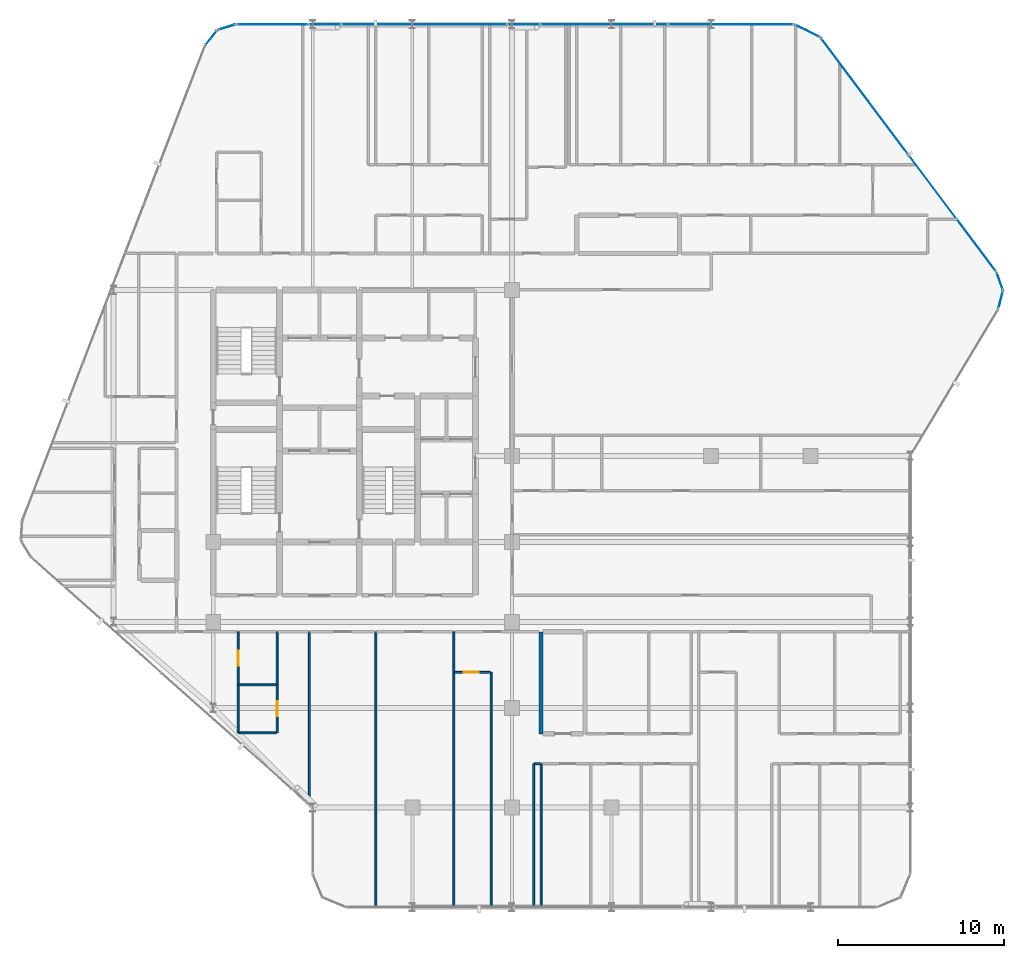
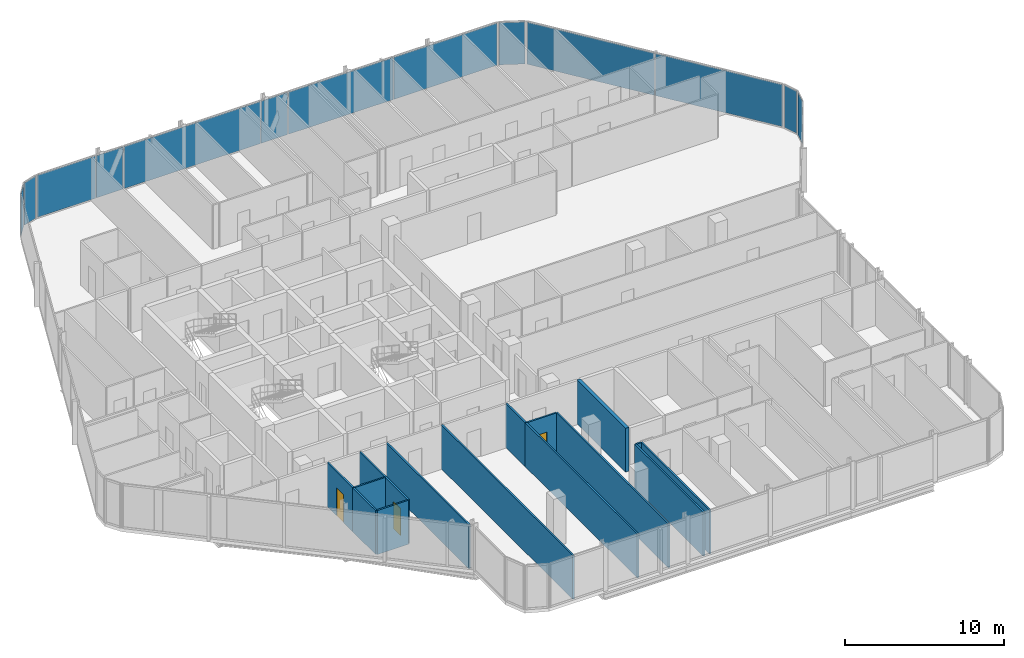
# One storey, part 24 of 31: 16 walls, 13 plates, 3 doors, 3 openings, 11 elements without a shape of their own.
"""IFC4 building model written with IfcOpenShell, lengths in metres."""

import ifcopenshell
import ifcopenshell.guid

model = None  # the IFC model being written
_history = None  # IfcOwnerHistory: only IFC2X3 demands one
_inside = {}  # id of a spatial element -> (the spatial element, [elements in it])
_under = {}  # id of a project, library or spatial element -> (it, [spatial elements below it])
_declared = {}  # id of a project -> (the project, [libraries it declares])
_typed = {}  # id of a type object -> (the type object, [elements of that type])
_made_of = {}  # id of a material, layer set ... -> (it, [elements and type objects made of it])


def new_model(schema):
    """Start an empty IFC model of exactly this schema.

    Asked for "IFC4X3", IfcOpenShell would pick the latest addendum, in which some entities
    have other attributes; the version numbers below select the first issue.
    IFC2X3 requires an IfcOwnerHistory on every rooted entity: one is made here for all.
    """
    global model, _history
    if schema == "IFC4X3":
        model = ifcopenshell.file(schema_version=(4, 3, 0, 0))
    else:
        model = ifcopenshell.file(schema=schema)
    _inside.clear()
    _under.clear()
    _declared.clear()
    _typed.clear()
    _made_of.clear()
    _history = None
    if model.schema == "IFC2X3":
        org = make("IfcOrganization", Name="unknown")
        user = make(
            "IfcPersonAndOrganization",
            ThePerson=make("IfcPerson", FamilyName="unknown"),
            TheOrganization=org,
        )
        app = make(
            "IfcApplication",
            ApplicationDeveloper=org,
            Version="unknown",
            ApplicationFullName="unknown",
            ApplicationIdentifier="unknown",
        )
        _history = make(
            "IfcOwnerHistory",
            OwningUser=user,
            OwningApplication=app,
            ChangeAction="ADDED",
            CreationDate=0,
        )
    return model


def make(cls, **values):
    """One entity of the class cls with the attributes given. An attribute that is None is left unset."""
    return model.create_entity(
        cls, **{name: value for name, value in values.items() if value is not None}
    )


def rooted(cls, **values):
    """An entity with a GlobalId (a new one), such as an element, a storey or a relation."""
    return make(cls, GlobalId=ifcopenshell.guid.new(), OwnerHistory=_history, **values)


def si_unit(unit_type, name, prefix=None):
    """IfcSIUnit, for example si_unit("LENGTHUNIT", "METRE", prefix="MILLI")."""
    return make("IfcSIUnit", UnitType=unit_type, Prefix=prefix, Name=name)


def assignment(units):
    """IfcUnitAssignment: the units of a project."""
    return None if units is None else make("IfcUnitAssignment", Units=units)


def point(xyz):
    """IfcCartesianPoint."""
    return None if xyz is None else make("IfcCartesianPoint", Coordinates=xyz)


def direction(xyz):
    """IfcDirection."""
    return None if xyz is None else make("IfcDirection", DirectionRatios=xyz)


def frame(location, z_axis=None, x_axis=None):
    """IfcAxis2Placement3D, a coordinate frame: its origin and axes. An axis left out is left unset."""
    return make(
        "IfcAxis2Placement3D",
        Location=point(location),
        Axis=direction(z_axis),
        RefDirection=direction(x_axis),
    )


def frame_2d(location, x_axis=None):
    """IfcAxis2Placement2D, a coordinate frame in the plane: its origin and x axis."""
    return make(
        "IfcAxis2Placement2D", Location=point(location), RefDirection=direction(x_axis)
    )


def origin():
    """The frame at (0, 0, 0) with its axes left unset."""
    return frame((0.0, 0.0, 0.0))


def origin_2d():
    """The frame at (0, 0) in the plane with its x axis left unset."""
    return frame_2d((0.0, 0.0))


def place(relative_to, where):
    """IfcLocalPlacement: puts the frame where relative to a parent placement (None: the world)."""
    return make(
        "IfcLocalPlacement", PlacementRelTo=relative_to, RelativePlacement=where
    )


def context(
    kind, dimensions, precision=None, world=None, true_north=None, identifier=None
):
    """IfcGeometricRepresentationContext, for example the 3D "Model" context."""
    return make(
        "IfcGeometricRepresentationContext",
        ContextIdentifier=identifier,
        ContextType=kind,
        CoordinateSpaceDimension=dimensions,
        Precision=precision,
        WorldCoordinateSystem=world,
        TrueNorth=true_north,
    )


def subcontext(parent, identifier, kind, view, scale=None):
    """IfcGeometricRepresentationSubContext, for example "Body" below "Model"."""
    return make(
        "IfcGeometricRepresentationSubContext",
        ContextIdentifier=identifier,
        ContextType=kind,
        ParentContext=parent,
        TargetScale=scale,
        TargetView=view,
    )


def project(units=None, contexts=None):
    """IfcProject with its units and contexts."""
    return rooted(
        "IfcProject",
        Name="project",
        RepresentationContexts=contexts,
        UnitsInContext=assignment(units),
    )


def spatial(cls, under=None, at=None, **own):
    """A site, building, storey or space (cls), placed at a placement, below another one or the project."""
    s = rooted(cls, ObjectPlacement=at, **own)
    if under is not None:
        _under.setdefault(under.id(), (under, []))[1].append(s)
    return s


def profile(cls, at=None, kind="AREA", **sizes):
    """A parametric profile (cls). Its sizes go by their IFC names, for example OverallWidth=200.0."""
    return make(cls, ProfileType=kind, Position=at, **sizes)


def rectangle(**sizes):
    """IfcRectangleProfileDef."""
    return profile("IfcRectangleProfileDef", **sizes)


def extrude(swept, where, along, depth):
    """IfcExtrudedAreaSolid: the profile swept, set in the frame where, extruded along a direction by depth."""
    return make(
        "IfcExtrudedAreaSolid",
        SweptArea=swept,
        Position=where,
        ExtrudedDirection=direction(along),
        Depth=depth,
    )


def shape(context_of_items, identifier, shape_type, items):
    """IfcShapeRepresentation: the items that make up one representation, for example the "Body"."""
    return make(
        "IfcShapeRepresentation",
        ContextOfItems=context_of_items,
        RepresentationIdentifier=identifier,
        RepresentationType=shape_type,
        Items=items,
    )


def material(Name=None, Category=None):
    """IfcMaterial."""
    return make("IfcMaterial", Name=Name, Category=Category)


def layer(
    of_material, thickness, ventilated=None, Name=None, Category=None, Priority=None
):
    """IfcMaterialLayer: one layer of a wall or slab, of a material (None: an air gap)."""
    return make(
        "IfcMaterialLayer",
        Material=of_material,
        LayerThickness=thickness,
        IsVentilated=ventilated,
        Name=Name,
        Category=Category,
        Priority=Priority,
    )


def layer_set(layers, Name=None):
    """IfcMaterialLayerSet."""
    return make("IfcMaterialLayerSet", MaterialLayers=layers, LayerSetName=Name)


def made_of(thing, what):
    """Note that an element or type object is made of a material, layer set ...; save() writes the relation."""
    if what is not None:
        _made_of.setdefault(what.id(), (what, []))[1].append(thing)
    return thing


def type_object(cls, material=None, **own):
    """A type object (cls), such as IfcWallType, which elements share."""
    return made_of(rooted(cls, **own), material)


def element(
    cls,
    number,
    at=None,
    inside=None,
    cuts=None,
    type_object=None,
    material=None,
    context=None,
    identifier="Body",
    shape_type=None,
    held_by="IfcProductDefinitionShape",
    body=None,
    shapes=None,
    **own,
):
    """One element of the class cls, such as IfcWall. Its Tag is "e" and its number.

    at: its placement. inside: the storey or other place that contains it. cuts: it is an
    opening in that element (IfcRelVoidsElement). A single representation is given by context,
    identifier, shape_type and body (its items); several are given by shapes. held_by: the class
    of the entity that holds the representations. save() writes the other relations.
    """
    e = rooted(cls, Tag="e%d" % number, ObjectPlacement=at, **own)
    if body is not None:
        shapes = [shape(context, identifier, shape_type, body)]
    if shapes is not None:
        e.Representation = make(held_by, Representations=shapes)
    if inside is not None:
        _inside.setdefault(inside.id(), (inside, []))[1].append(e)
    if cuts is not None:
        rooted(
            "IfcRelVoidsElement", RelatingBuildingElement=cuts, RelatedOpeningElement=e
        )
    if type_object is not None:
        _typed.setdefault(type_object.id(), (type_object, []))[1].append(e)
    return made_of(e, material)


def fill(opening, filler):
    """IfcRelFillsElement: the door or window that sits in an opening."""
    return rooted(
        "IfcRelFillsElement",
        RelatingOpeningElement=opening,
        RelatedBuildingElement=filler,
    )


def aggregate(whole, parts):
    """IfcRelAggregates: a whole, such as a stair, and the parts it consists of."""
    return rooted("IfcRelAggregates", RelatingObject=whole, RelatedObjects=parts)


def save(model, path):
    """Write the relations noted so far, then the file.

    IfcRelAggregates (storeys below a building ...), IfcRelContainedInSpatialStructure (elements
    in a storey), IfcRelDefinesByType, IfcRelAssociatesMaterial and IfcRelDeclares: one each for
    every whole, place, type object, material and project.
    """
    for whole, parts in _under.values():
        aggregate(whole, parts)
    for where, things in _inside.values():
        rooted(
            "IfcRelContainedInSpatialStructure",
            RelatedElements=things,
            RelatingStructure=where,
        )
    for kind, things in _typed.values():
        rooted("IfcRelDefinesByType", RelatedObjects=things, RelatingType=kind)
    for what, things in _made_of.values():
        rooted("IfcRelAssociatesMaterial", RelatedObjects=things, RelatingMaterial=what)
    for by, libraries in _declared.values():
        rooted("IfcRelDeclares", RelatingContext=by, RelatedDefinitions=libraries)
    model.write(path)


model = new_model("IFC4")

# Units and contexts
model_context = context("Model", 3, precision=1e-05, world=origin(), true_north=direction((0.0, 1.0)))
body_context = subcontext(model_context, "Body", "Model", "MODEL_VIEW")
ifc_project = project(units=[si_unit("LENGTHUNIT", "METRE"), si_unit("AREAUNIT", "SQUARE_METRE"), si_unit("VOLUMEUNIT", "CUBIC_METRE"), si_unit("PLANEANGLEUNIT", "RADIAN"), si_unit("MASSUNIT", "GRAM", prefix="KILO")], contexts=[model_context])

# Site, building, storey
site_placement = place(None, origin())
site = spatial("IfcSite", under=ifc_project, at=site_placement, CompositionType="ELEMENT")
building_placement = place(site_placement, origin())
building = spatial("IfcBuilding", under=site, at=building_placement, Name="Keshet Zoharim Tower", CompositionType="ELEMENT")
storey_placement = place(building_placement, frame((0.0, 0.0, 140.89990234375)))
storey = spatial("IfcBuildingStorey", under=building, at=storey_placement, Name="L34", CompositionType="ELEMENT", Elevation=140.89990234375)

# Curtain wall, plate
ifc_material_1 = material(Name="Aluminium 6063-T6", Category="aluminium")
ifc_layer_1 = layer(ifc_material_1, 0.159912109375)
ifc_layer_set_1 = layer_set([ifc_layer_1], Name="Aluminium 6063-T6")
curtain_wall_type = type_object("IfcCurtainWallType", Name="CW-SYS-03", PredefinedType="NOTDEFINED", material=ifc_layer_set_1)
curtain_wall_1_placement = place(storey_placement, origin())
curtain_wall_1 = element("IfcCurtainWall", 1, at=curtain_wall_1_placement, inside=storey, type_object=curtain_wall_type, Name="L34 Unitised Curtain Wall 11", PredefinedType="NOTDEFINED")
ifc_material_2 = material(Name="Insulated Low-E Clear Glass", Category="glass")
ifc_layer_2 = layer(ifc_material_2, 0.035888671875)
ifc_layer_set_2 = layer_set([ifc_layer_2], Name="Insulated Low-E Clear Glass")
plate_type_1 = type_object("IfcPlateType", Name="CWP-01", PredefinedType="CURTAIN_PANEL", material=ifc_layer_set_2)
plate_1_placement = place(storey_placement, frame((14.8740234375, 53.08349609375, 0.070068359375), z_axis=(0.0, 0.0, 1.0), x_axis=(0.619124525989, 0.785292825205, 0.0)))
plate_1 = element("IfcPlate", 2, at=plate_1_placement, type_object=plate_type_1, Name="CW-03 panel 1.1", PredefinedType="CURTAIN_PANEL", context=body_context, shape_type="SweptSolid", body=[
    extrude(rectangle(XDim=1.045654296875, YDim=0.035888671875, at=origin_2d()), origin(), (0.0, 0.0, 1.0), 3.2451171875),
])
aggregate(curtain_wall_1, [plate_1])

curtain_wall_2_placement = place(storey_placement, origin())
curtain_wall_2 = element("IfcCurtainWall", 3, at=curtain_wall_2_placement, inside=storey, type_object=curtain_wall_type, Name="L34 Unitised Curtain Wall 12", PredefinedType="NOTDEFINED")
plate_2_placement = place(storey_placement, frame((15.8076171875, 53.724609375, 0.070068359375), z_axis=(0.0, 0.0, 1.0), x_axis=(0.955212151288, 0.295921857984, 0.0)))
plate_2 = element("IfcPlate", 4, at=plate_2_placement, type_object=plate_type_1, Name="CW-03 panel 1.1", PredefinedType="CURTAIN_PANEL", context=body_context, shape_type="SweptSolid", body=[
    extrude(rectangle(XDim=1.046142578125, YDim=0.035888671875, at=origin_2d()), origin(), (0.0, 0.0, 1.0), 3.2451171875),
])
aggregate(curtain_wall_2, [plate_2])

curtain_wall_3_placement = place(storey_placement, origin())
curtain_wall_3 = element("IfcCurtainWall", 5, at=curtain_wall_3_placement, inside=storey, type_object=curtain_wall_type, Name="L34 Unitised Curtain Wall 13", PredefinedType="NOTDEFINED")
ifc_layer_3 = layer(ifc_material_2, 0.031982421875)
ifc_layer_set_3 = layer_set([ifc_layer_3], Name="Insulated Low-E Clear Glass")
plate_type_2 = type_object("IfcPlateType", Name="CWP-02", PredefinedType="CURTAIN_PANEL", material=ifc_layer_set_3)
plate_3_placement = place(storey_placement, frame((18.56298828125, 53.89990234375, 0.070068359375), z_axis=(0.0, 0.0, 1.0), x_axis=(1.0, 0.0, 0.0)))
plate_3 = element("IfcPlate", 6, at=plate_3_placement, type_object=plate_type_2, Name="CW-03 panel 1.1", PredefinedType="CURTAIN_PANEL", context=body_context, shape_type="SweptSolid", body=[
    extrude(rectangle(XDim=4.23779296875, YDim=0.031982421875, at=origin_2d()), origin(), (0.0, 0.0, 1.0), 3.2451171875),
])
aggregate(curtain_wall_3, [plate_3])

curtain_wall_4_placement = place(storey_placement, origin())
curtain_wall_4 = element("IfcCurtainWall", 7, at=curtain_wall_4_placement, inside=storey, type_object=curtain_wall_type, Name="L34 Unitised Curtain Wall 13 Part 3", PredefinedType="NOTDEFINED")
plate_4_placement = place(storey_placement, frame((27.715087890625, 53.89990234375, 0.070068359375), z_axis=(0.0, 0.0, 1.0), x_axis=(1.0, 0.0, 0.0)))
plate_4 = element("IfcPlate", 8, at=plate_4_placement, type_object=plate_type_2, Name="CW-03 panel 1.1", PredefinedType="CURTAIN_PANEL", context=body_context, shape_type="SweptSolid", body=[
    extrude(rectangle(XDim=9.933837890625, YDim=0.031982421875, at=origin_2d()), origin(), (0.0, 0.0, 1.0), 3.2451171875),
])
aggregate(curtain_wall_4, [plate_4])

# Curtain wall, plates
curtain_wall_5_placement = place(storey_placement, origin())
curtain_wall_5 = element("IfcCurtainWall", 9, at=curtain_wall_5_placement, inside=storey, type_object=curtain_wall_type, Name="L34 Unitised Curtain Wall 13 Part 5", PredefinedType="NOTDEFINED")
plate_5_placement = place(storey_placement, frame((38.54345703125, 53.89990234375, 0.070068359375), z_axis=(0.0, 0.0, 1.0), x_axis=(1.0, 0.0, 0.0)))
plate_5 = element("IfcPlate", 10, at=plate_5_placement, type_object=plate_type_2, Name="CW-03 panel 1.1", PredefinedType="CURTAIN_PANEL", context=body_context, shape_type="SweptSolid", body=[
    extrude(rectangle(XDim=7.591064453125, YDim=0.031982421875, at=origin_2d()), origin(), (0.0, 0.0, 1.0), 3.2451171875),
])
plate_6_placement = place(storey_placement, frame((46.16943359375, 53.89990234375, 0.070068359375), z_axis=(0.0, 0.0, 1.0), x_axis=(1.0, 0.0, 0.0)))
plate_6 = element("IfcPlate", 11, at=plate_6_placement, type_object=plate_type_2, Name="CW-03 panel 2.1", PredefinedType="CURTAIN_PANEL", context=body_context, shape_type="SweptSolid", body=[
    extrude(rectangle(XDim=7.52099609375, YDim=0.031982421875, at=origin_2d()), origin(), (0.0, 0.0, 1.0), 3.2451171875),
])
aggregate(curtain_wall_5, [plate_5, plate_6])

# Curtain wall, plate
curtain_wall_6_placement = place(storey_placement, origin())
curtain_wall_6 = element("IfcCurtainWall", 12, at=curtain_wall_6_placement, inside=storey, type_object=curtain_wall_type, Name="L34 Unitised Curtain Wall 14", PredefinedType="NOTDEFINED")
plate_7_placement = place(storey_placement, frame((50.800048828125, 53.5, 0.070068359375), z_axis=(0.0, 0.0, 1.0), x_axis=(0.894427191001, -0.447213595499, 0.0)))
plate_7 = element("IfcPlate", 13, at=plate_7_placement, type_object=plate_type_2, Name="CW-03 panel 1.1", PredefinedType="CURTAIN_PANEL", context=body_context, shape_type="SweptSolid", body=[
    extrude(rectangle(XDim=1.64892578125, YDim=0.031982421875, at=origin_2d()), origin(), (0.0, 0.0, 1.0), 3.2451171875),
])
aggregate(curtain_wall_6, [plate_7])

# Curtain wall, plates
curtain_wall_7_placement = place(storey_placement, origin())
curtain_wall_7 = element("IfcCurtainWall", 14, at=curtain_wall_7_placement, inside=storey, type_object=curtain_wall_type, Name="L34 Unitised Curtain Wall 15", PredefinedType="NOTDEFINED")
plate_8_placement = place(storey_placement, frame((54.2587890625, 49.554931640625, 0.070068359375), z_axis=(0.0, 0.0, 1.0), x_axis=(0.600000000002, -0.799999999998, 0.0)))
plate_8 = element("IfcPlate", 15, at=plate_8_placement, type_object=plate_type_2, Name="CW-03 panel 1.1", PredefinedType="CURTAIN_PANEL", context=body_context, shape_type="SweptSolid", body=[
    extrude(rectangle(XDim=8.722412109375, YDim=0.031982421875, at=origin_2d()), origin(), (0.0, 0.0, 1.0), 3.2451171875),
])
plate_9_placement = place(storey_placement, frame((59.5341796875, 42.52099609375, 0.070068359375), z_axis=(0.0, 0.0, 1.0), x_axis=(0.600000000002, -0.799999999998, 0.0)))
plate_9 = element("IfcPlate", 16, at=plate_9_placement, type_object=plate_type_2, Name="CW-03 panel 2.1", PredefinedType="CURTAIN_PANEL", context=body_context, shape_type="SweptSolid", body=[
    extrude(rectangle(XDim=8.722412109375, YDim=0.031982421875, at=origin_2d()), origin(), (0.0, 0.0, 1.0), 3.2451171875),
])
aggregate(curtain_wall_7, [plate_8, plate_9])

# Curtain wall, plate
curtain_wall_8_placement = place(storey_placement, origin())
curtain_wall_8 = element("IfcCurtainWall", 17, at=curtain_wall_8_placement, inside=storey, type_object=curtain_wall_type, Name="L34 Unitised Curtain Wall 16", PredefinedType="NOTDEFINED")
plate_10_placement = place(storey_placement, frame((62.3916015625, 38.427490234375, 0.070068359375), z_axis=(0.0, 0.0, 1.0), x_axis=(0.340297354046, -0.940317877544, 0.0)))
plate_10 = element("IfcPlate", 18, at=plate_10_placement, type_object=plate_type_2, Name="CW-03 panel 1.1", PredefinedType="CURTAIN_PANEL", context=body_context, shape_type="SweptSolid", body=[
    extrude(rectangle(XDim=1.026611328125, YDim=0.031982421875, at=origin_2d()), origin(), (0.0, 0.0, 1.0), 3.2451171875),
])
aggregate(curtain_wall_8, [plate_10])

curtain_wall_9_placement = place(storey_placement, origin())
curtain_wall_9 = element("IfcCurtainWall", 19, at=curtain_wall_9_placement, inside=storey, type_object=curtain_wall_type, Name="L34 Unitised Curtain Wall 17", PredefinedType="NOTDEFINED")
plate_11_placement = place(storey_placement, frame((62.448974609375, 37.31298828125, 0.070068359375), z_axis=(0.0, 0.0, 1.0), x_axis=(-0.241728770141, -0.970343857447, 0.0)))
plate_11 = element("IfcPlate", 20, at=plate_11_placement, type_object=plate_type_2, Name="CW-03 panel 1.1", PredefinedType="CURTAIN_PANEL", context=body_context, shape_type="SweptSolid", body=[
    extrude(rectangle(XDim=1.026611328125, YDim=0.031982421875, at=origin_2d()), origin(), (0.0, 0.0, 1.0), 3.2451171875),
])
aggregate(curtain_wall_9, [plate_11])

curtain_wall_10_placement = place(storey_placement, origin())
curtain_wall_10 = element("IfcCurtainWall", 21, at=curtain_wall_10_placement, inside=storey, type_object=curtain_wall_type, Name="L34 Unitised Curtain Wall 13 Part 2", PredefinedType="NOTDEFINED")
ifc_material_3 = material(Name="Insulated Aluminium Spandrel Panel", Category="aluminium")
ifc_layer_4 = layer(ifc_material_3, 0.031982421875)
ifc_layer_set_4 = layer_set([ifc_layer_4], Name="Insulated Aluminium Spandrel Panel")
plate_type_3 = type_object("IfcPlateType", Name="CWP-05", PredefinedType="CURTAIN_PANEL", material=ifc_layer_set_4)
plate_12_placement = place(storey_placement, frame((21.715087890625, 53.89990234375, 0.070068359375), z_axis=(0.0, 0.0, 1.0), x_axis=(1.0, 0.0, 0.0)))
plate_12 = element("IfcPlate", 22, at=plate_12_placement, type_object=plate_type_3, Name="CW-03 spandrel panel 1.1", PredefinedType="CURTAIN_PANEL", context=body_context, shape_type="SweptSolid", body=[
    extrude(rectangle(XDim=1.92626953125, YDim=0.031982421875, at=origin_2d()), origin(), (0.0, 0.0, 1.0), 3.2451171875),
])
aggregate(curtain_wall_10, [plate_12])

curtain_wall_11_placement = place(storey_placement, origin())
curtain_wall_11 = element("IfcCurtainWall", 23, at=curtain_wall_11_placement, inside=storey, type_object=curtain_wall_type, Name="L34 Unitised Curtain Wall 13 Part 4", PredefinedType="NOTDEFINED")
plate_13_placement = place(storey_placement, frame((33.715087890625, 53.89990234375, 0.070068359375), z_axis=(0.0, 0.0, 1.0), x_axis=(1.0, 0.0, 0.0)))
plate_13 = element("IfcPlate", 24, at=plate_13_placement, type_object=plate_type_3, Name="CW-03 spandrel panel 1.1", PredefinedType="CURTAIN_PANEL", context=body_context, shape_type="SweptSolid", body=[
    extrude(rectangle(XDim=1.92626953125, YDim=0.031982421875, at=origin_2d()), origin(), (0.0, 0.0, 1.0), 3.2451171875),
])
aggregate(curtain_wall_11, [plate_13])

# Wall
ifc_material_4 = material(Name="Concrete C50/60", Category="concrete")
ifc_layer_5 = layer(ifc_material_4, 0.25)
ifc_layer_set_5 = layer_set([ifc_layer_5], Name="Concrete C50/60")
wall_type_1 = type_object("IfcWallType", Name="WL-MAMAD-250", PredefinedType="STANDARD", material=ifc_layer_set_5)
wall_1_placement = place(storey_placement, frame((34.75, 11.14990234375, 0.0), z_axis=(0.0, 0.0, 1.0), x_axis=(0.0, 1.0, 0.0)))
element("IfcWall", 25, at=wall_1_placement, inside=storey, type_object=wall_type_1, Name="L34 Interior Wall 077", PredefinedType="STANDARD", context=body_context, shape_type="SweptSolid", body=[
    extrude(rectangle(XDim=6.150146484375, YDim=0.25, at=frame_2d((3.0751953125, 0.0))), origin(), (0.0, 0.0, 1.0), 3.385009765625),
])

# Wall, opening, door
ifc_material_5 = material(Name="Gypsum Plasterboard", Category="gypsum")
ifc_layer_6 = layer(ifc_material_5, 0.1201171875)
ifc_layer_set_6 = layer_set([ifc_layer_6], Name="Gypsum Plasterboard")
wall_type_2 = type_object("IfcWallType", Name="WL-PART-120", PredefinedType="PARTITIONING", material=ifc_layer_set_6)
wall_2_placement = place(storey_placement, frame((16.5, 14.10009765625, 0.0), z_axis=(0.0, 0.0, 1.0), x_axis=(0.0, 1.0, 0.0)))
wall_2 = element("IfcWall", 26, at=wall_2_placement, inside=storey, type_object=wall_type_2, Name="L34 Interior Wall 020", PredefinedType="PARTITIONING", context=body_context, shape_type="SweptSolid", body=[
    extrude(rectangle(XDim=3.199951171875, YDim=0.1201171875, at=frame_2d((1.60009765625, 0.0))), origin(), (0.0, 0.0, 1.0), 3.385009765625),
])
opening_1_placement = place(wall_2_placement, frame((1.14990234375, 0.0, 0.0)))
opening_1 = element("IfcOpeningElement", 27, at=opening_1_placement, cuts=wall_2, Name="Opening D-IN90", PredefinedType="OPENING", context=body_context, shape_type="SweptSolid", body=[
    extrude(rectangle(XDim=0.89990234375, YDim=2.14990234375, at=frame_2d((0.449951171875, 1.074951171875))), frame((0.0, 0.070068359375, 0.0), z_axis=(0.0, -1.0, 0.0), x_axis=(1.0, 0.0, 0.0)), (0.0, 0.0, 1.0), 0.14013671875),
])
ifc_material_6 = material(Name="Hardwood Timber", Category="wood")
door_type_1 = type_object("IfcDoorType", Name="DR-INT-090", OperationType="NOTDEFINED", PredefinedType="DOOR", material=ifc_material_6)
door_1_placement = place(opening_1_placement, origin())
door_1 = element("IfcDoor", 28, at=door_1_placement, inside=storey, type_object=door_type_1, Name="Apartment 3401 Kitchenette Door", OperationType="SINGLE_SWING_LEFT", OverallHeight=2.14990234375, OverallWidth=0.89990234375, PredefinedType="DOOR", context=body_context, shape_type="SweptSolid", body=[
    extrude(rectangle(XDim=0.89990234375, YDim=2.14990234375, at=frame_2d((0.449951171875, 1.074951171875))), frame((0.0, 0.02490234375, 0.0), z_axis=(0.0, -1.0, 0.0), x_axis=(1.0, 0.0, 0.0)), (0.0, 0.0, 1.0), 0.050048828125),
])
fill(opening_1, door_1)

# Walls
wall_3_placement = place(storey_placement, frame((18.85009765625, 14.10009765625, 0.0), z_axis=(0.0, 0.0, 1.0), x_axis=(0.0, 1.0, 0.0)))
element("IfcWall", 29, at=wall_3_placement, inside=storey, type_object=wall_type_2, Name="L34 Interior Wall 024", PredefinedType="PARTITIONING", context=body_context, shape_type="SweptSolid", body=[
    extrude(rectangle(XDim=3.199951171875, YDim=0.1201171875, at=frame_2d((1.60009765625, 0.0))), origin(), (0.0, 0.0, 1.0), 3.385009765625),
])
wall_4_placement = place(storey_placement, frame((20.800048828125, 6.887939453125, 0.0), z_axis=(0.0, 0.0, 1.0), x_axis=(0.0, 1.0, 0.0)))
element("IfcWall", 30, at=wall_4_placement, inside=storey, type_object=wall_type_2, Name="L34 Interior Wall 031", PredefinedType="PARTITIONING", context=body_context, shape_type="SweptSolid", body=[
    extrude(rectangle(XDim=10.412109375, YDim=0.1201171875, at=frame_2d((5.2060546875, 0.0))), origin(), (0.0, 0.0, 1.0), 3.385009765625),
])
wall_5_placement = place(storey_placement, frame((24.800048828125, 0.7099609375, 0.0), z_axis=(0.0, 0.0, 1.0), x_axis=(0.0, 1.0, 0.0)))
element("IfcWall", 31, at=wall_5_placement, inside=storey, type_object=wall_type_2, Name="L34 Interior Wall 042", PredefinedType="PARTITIONING", context=body_context, shape_type="SweptSolid", body=[
    extrude(rectangle(XDim=16.590087890625, YDim=0.1201171875, at=frame_2d((8.294921875, 0.0))), origin(), (0.0, 0.0, 1.0), 3.385009765625),
])
wall_6_placement = place(storey_placement, frame((29.5, 0.7099609375, 0.0), z_axis=(0.0, 0.0, 1.0), x_axis=(0.0, 1.0, 0.0)))
element("IfcWall", 32, at=wall_6_placement, inside=storey, type_object=wall_type_2, Name="L34 Interior Wall 055", PredefinedType="PARTITIONING", context=body_context, shape_type="SweptSolid", body=[
    extrude(rectangle(XDim=14.14013671875, YDim=0.1201171875, at=frame_2d((7.070068359375, 0.0))), origin(), (0.0, 0.0, 1.0), 3.385009765625),
])
wall_7_placement = place(storey_placement, frame((29.5, 14.85009765625, 0.0), z_axis=(0.0, 0.0, 1.0), x_axis=(0.0, 1.0, 0.0)))
element("IfcWall", 33, at=wall_7_placement, inside=storey, type_object=wall_type_2, Name="L34 Interior Wall 056", PredefinedType="PARTITIONING", context=body_context, shape_type="SweptSolid", body=[
    extrude(rectangle(XDim=2.449951171875, YDim=0.1201171875, at=frame_2d((1.22509765625, 0.0))), origin(), (0.0, 0.0, 1.0), 3.385009765625),
])
wall_8_placement = place(storey_placement, frame((31.75, 0.7099609375, 0.0), z_axis=(0.0, 0.0, 1.0), x_axis=(0.0, 1.0, 0.0)))
element("IfcWall", 34, at=wall_8_placement, inside=storey, type_object=wall_type_2, Name="L34 Interior Wall 068", PredefinedType="PARTITIONING", context=body_context, shape_type="SweptSolid", body=[
    extrude(rectangle(XDim=14.14013671875, YDim=0.1201171875, at=frame_2d((7.070068359375, 0.0))), origin(), (0.0, 0.0, 1.0), 3.385009765625),
])
for number, where, z_axis, x_axis, name in (
    (35, (34.300048828125, 0.7099609375, 0.0), (0.0, 0.0, 1.0), (0.0, 1.0, 0.0), "L34 Interior Wall 075"),
    (36, (34.75, 0.7099609375, 0.0), (0.0, 0.0, 1.0), (0.0, 1.0, 0.0), "L34 Interior Wall 076"),
):
    element("IfcWall", number, at=place(storey_placement, frame(where, z_axis=z_axis, x_axis=x_axis)), inside=storey, type_object=wall_type_2, Name=name, PredefinedType="PARTITIONING", context=body_context, shape_type="SweptSolid", body=[
        extrude(rectangle(XDim=8.64013671875, YDim=0.1201171875, at=frame_2d((4.320068359375, 0.0))), origin(), (0.0, 0.0, 1.0), 3.385009765625),
    ])
wall_9_placement = place(storey_placement, frame((34.344970703125, 9.35009765625, 0.0), z_axis=(0.0, 0.0, 1.0), x_axis=(1.0, 0.0, 0.0)))
element("IfcWall", 37, at=wall_9_placement, inside=storey, type_object=wall_type_2, Name="L34 Interior Wall 114", PredefinedType="PARTITIONING", context=body_context, shape_type="SweptSolid", body=[
    extrude(rectangle(XDim=0.360107421875, YDim=0.1201171875, at=frame_2d((0.18017578125, 0.0))), origin(), (0.0, 0.0, 1.0), 3.385009765625),
])

# Wall, opening, door
wall_10_placement = place(storey_placement, frame((29.544921875, 14.85009765625, 0.0), z_axis=(0.0, 0.0, 1.0), x_axis=(1.0, 0.0, 0.0)))
wall_10 = element("IfcWall", 38, at=wall_10_placement, inside=storey, type_object=wall_type_2, Name="L34 Interior Wall 126", PredefinedType="PARTITIONING", context=body_context, shape_type="SweptSolid", body=[
    extrude(rectangle(XDim=2.16015625, YDim=0.1201171875, at=frame_2d((1.080078125, 0.0))), origin(), (0.0, 0.0, 1.0), 3.385009765625),
])
opening_2_placement = place(wall_10_placement, frame((0.552978515625, 0.0, 0.0)))
opening_2 = element("IfcOpeningElement", 39, at=opening_2_placement, cuts=wall_10, Name="Opening D-IN90", PredefinedType="OPENING", context=body_context, shape_type="SweptSolid", body=[
    extrude(rectangle(XDim=0.89990234375, YDim=2.14990234375, at=frame_2d((0.449951171875, 1.074951171875))), frame((0.0, 0.070068359375, 0.0), z_axis=(0.0, -1.0, 0.0), x_axis=(1.0, 0.0, 0.0)), (0.0, 0.0, 1.0), 0.14013671875),
])
door_2_placement = place(opening_2_placement, origin())
door_2 = element("IfcDoor", 40, at=door_2_placement, inside=storey, type_object=door_type_1, Name="Apartment 3402 Formal Dining Room Door", OperationType="SINGLE_SWING_LEFT", OverallHeight=2.14990234375, OverallWidth=0.89990234375, PredefinedType="DOOR", context=body_context, shape_type="SweptSolid", body=[
    extrude(rectangle(XDim=0.89990234375, YDim=2.14990234375, at=frame_2d((0.449951171875, 1.074951171875))), frame((0.0, 0.02490234375, 0.0), z_axis=(0.0, -1.0, 0.0), x_axis=(1.0, 0.0, 0.0)), (0.0, 0.0, 1.0), 0.050048828125),
])
fill(opening_2, door_2)

# Wall
ifc_layer_7 = layer(ifc_material_5, 0.1201171875)
ifc_layer_set_7 = layer_set([ifc_layer_7], Name="Gypsum Plasterboard")
wall_type_3 = type_object("IfcWallType", Name="WL-WET-120", PredefinedType="PARTITIONING", material=ifc_layer_set_7)
wall_11_placement = place(storey_placement, frame((16.5, 11.199951171875, 0.0), z_axis=(0.0, 0.0, 1.0), x_axis=(0.0, 1.0, 0.0)))
element("IfcWall", 41, at=wall_11_placement, inside=storey, type_object=wall_type_3, Name="L34 Interior Wall 019", PredefinedType="PARTITIONING", context=body_context, shape_type="SweptSolid", body=[
    extrude(rectangle(XDim=2.900146484375, YDim=0.1201171875, at=frame_2d((1.4501953125, 0.0))), origin(), (0.0, 0.0, 1.0), 3.385009765625),
])

# Wall, opening, door
wall_12_placement = place(storey_placement, frame((18.85009765625, 11.199951171875, 0.0), z_axis=(0.0, 0.0, 1.0), x_axis=(0.0, 1.0, 0.0)))
wall_12 = element("IfcWall", 42, at=wall_12_placement, inside=storey, type_object=wall_type_3, Name="L34 Interior Wall 023", PredefinedType="PARTITIONING", context=body_context, shape_type="SweptSolid", body=[
    extrude(rectangle(XDim=2.900146484375, YDim=0.1201171875, at=frame_2d((1.4501953125, 0.0))), origin(), (0.0, 0.0, 1.0), 3.385009765625),
])
opening_3_placement = place(wall_12_placement, frame((1.0, 0.0, 0.0)))
opening_3 = element("IfcOpeningElement", 43, at=opening_3_placement, cuts=wall_12, Name="Opening D-WT90", PredefinedType="OPENING", context=body_context, shape_type="SweptSolid", body=[
    extrude(rectangle(XDim=0.89990234375, YDim=2.10009765625, at=frame_2d((0.449951171875, 1.050048828125))), frame((0.0, 0.070068359375, 0.0), z_axis=(0.0, -1.0, 0.0), x_axis=(1.0, 0.0, 0.0)), (0.0, 0.0, 1.0), 0.14013671875),
])
door_type_2 = type_object("IfcDoorType", Name="DR-WET-090", OperationType="NOTDEFINED", PredefinedType="DOOR", material=ifc_material_6)
door_3_placement = place(opening_3_placement, origin())
door_3 = element("IfcDoor", 44, at=door_3_placement, inside=storey, type_object=door_type_2, Name="Apartment 3401 Bathroom Door", OperationType="SINGLE_SWING_LEFT", OverallHeight=2.10009765625, OverallWidth=0.89990234375, PredefinedType="DOOR", context=body_context, shape_type="SweptSolid", body=[
    extrude(rectangle(XDim=0.89990234375, YDim=2.10009765625, at=frame_2d((0.449951171875, 1.050048828125))), frame((0.0, 0.02490234375, 0.0), z_axis=(0.0, -1.0, 0.0), x_axis=(1.0, 0.0, 0.0)), (0.0, 0.0, 1.0), 0.050048828125),
])
fill(opening_3, door_3)

# Walls
for number, where, z_axis, x_axis, name in (
    (45, (16.544921875, 11.199951171875, 0.0), (0.0, 0.0, 1.0), (1.0, 0.0, 0.0), "L34 Interior Wall 124"),
    (46, (16.544921875, 14.10009765625, 0.0), (0.0, 0.0, 1.0), (1.0, 0.0, 0.0), "L34 Interior Wall 125"),
):
    element("IfcWall", number, at=place(storey_placement, frame(where, z_axis=z_axis, x_axis=x_axis)), inside=storey, type_object=wall_type_3, Name=name, PredefinedType="PARTITIONING", context=body_context, shape_type="SweptSolid", body=[
        extrude(rectangle(XDim=2.260009765625, YDim=0.1201171875, at=frame_2d((1.1298828125, 0.0))), origin(), (0.0, 0.0, 1.0), 3.385009765625),
    ])

save(model, "model.ifc")
